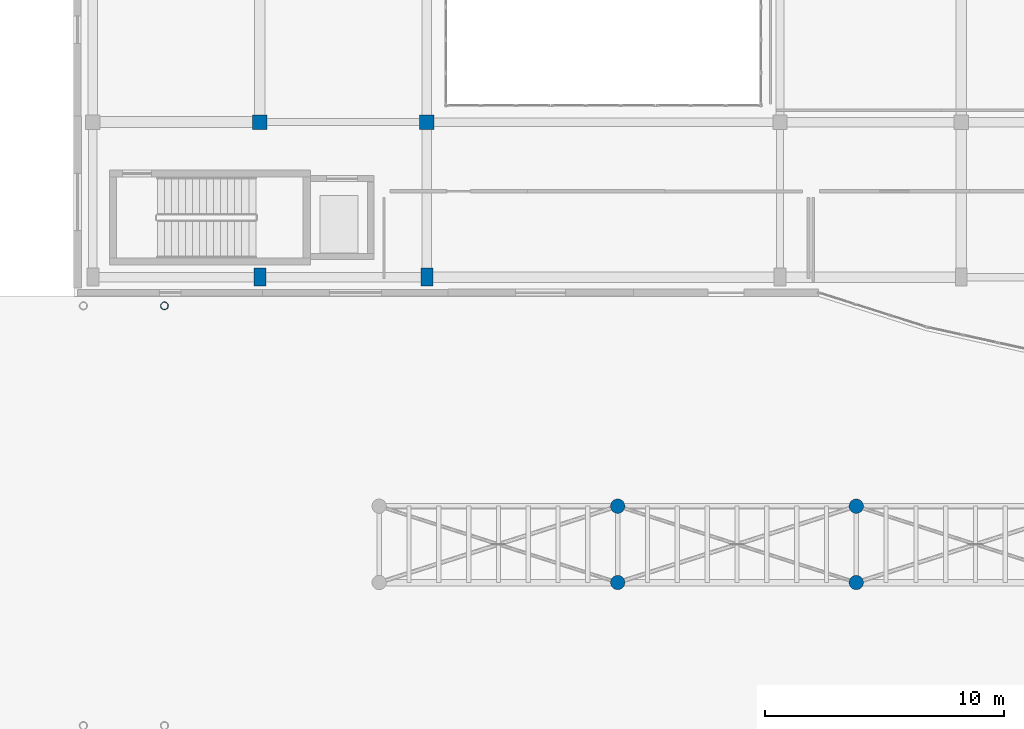
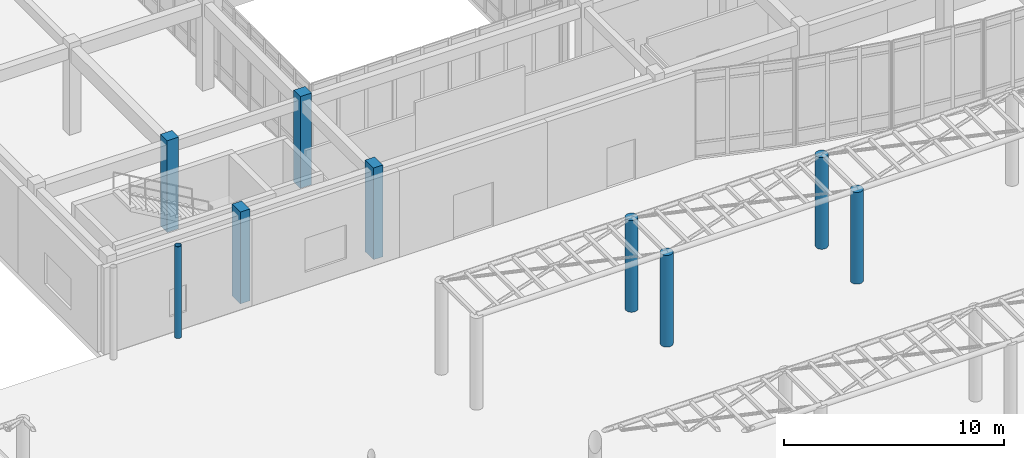
# One storey, part 13 of 121: 9 columns.
"""IFC4 building model written with IfcOpenShell, lengths in metres."""

from ifc_helpers import new_model, si_unit, direction, frame, origin, origin_2d, place, context, subcontext, project, spatial, rectangle, circle, hollow_circle, extrude, material, material_profile, profile_set, type_object, element, save


model = new_model("IFC4")

# Units and contexts
model_context = context("Model", 3, precision=1e-05, world=origin(), true_north=direction((0.0, 1.0)))
body_context = subcontext(model_context, "Body", "Model", "MODEL_VIEW")
ifc_project = project(units=[si_unit("LENGTHUNIT", "METRE"), si_unit("AREAUNIT", "SQUARE_METRE"), si_unit("VOLUMEUNIT", "CUBIC_METRE"), si_unit("PLANEANGLEUNIT", "RADIAN"), si_unit("MASSUNIT", "GRAM", prefix="KILO")], contexts=[model_context])

# Site, building, storey
site_placement = place(None, origin())
site = spatial("IfcSite", under=ifc_project, at=site_placement, CompositionType="ELEMENT")
building_placement = place(site_placement, origin())
building = spatial("IfcBuilding", under=site, at=building_placement, Name="Valcora Specialist Clinic", CompositionType="ELEMENT")
storey_placement = place(building_placement, origin())
storey = spatial("IfcBuildingStorey", under=building, at=storey_placement, Name="L00", CompositionType="ELEMENT", Elevation=0.0)

# Columns
ifc_material_1 = material(Name="Steel ASTM A500 Grade C", Category="steel")
ifc_material_profile_1 = material_profile(ifc_material_1, hollow_circle(Radius=0.162109375, WallThickness=0.011962890625, at=origin_2d()), Name="ST-CHS-324X12")
ifc_profile_set_1 = profile_set([ifc_material_profile_1], Name="Steel ASTM A500 Grade C")
column_type_1 = type_object("IfcColumnType", Name="TY-COL-CHS324", PredefinedType="COLUMN", material=ifc_profile_set_1)
column_placement = place(storey_placement, frame((65.0, 73.60009765625, 0.0), z_axis=(0.0, 0.0, 1.0), x_axis=(1.0, 0.0, 0.0)))
element("IfcColumn", 1, at=column_placement, inside=storey, type_object=column_type_1, Name="Column COL-L00-1002", PredefinedType="COLUMN", context=body_context, shape_type="SweptSolid", body=[
    extrude(hollow_circle(Radius=0.162109375, WallThickness=0.011962890625, at=origin_2d()), origin(), (0.0, 0.0, 1.0), 5.10009765625),
])
ifc_material_2 = material(Name="Concrete C40/50", Category="concrete")
ifc_material_profile_2 = material_profile(ifc_material_2, rectangle(XDim=0.5, YDim=0.75, at=origin_2d()), Name="RC-COL-500X750")
ifc_profile_set_2 = profile_set([ifc_material_profile_2], Name="Concrete C40/50")
column_type_2 = type_object("IfcColumnType", Name="TY-COL-RC500X750", PredefinedType="COLUMN", material=ifc_profile_set_2)
for number, where, z_axis, x_axis, name in (
    (2, (69.0, 74.800048828125, 0.0), (0.0, 0.0, 1.0), (1.0, 0.0, 0.0), "Column COL-L00-0327"),
    (3, (76.0, 74.800048828125, 0.0), (0.0, 0.0, 1.0), (1.0, 0.0, 0.0), "Column COL-L00-0352"),
):
    element("IfcColumn", number, at=place(storey_placement, frame(where, z_axis=z_axis, x_axis=x_axis)), inside=storey, type_object=column_type_2, Name=name, PredefinedType="COLUMN", context=body_context, shape_type="SweptSolid", body=[
        extrude(rectangle(XDim=0.5, YDim=0.75, at=origin_2d()), origin(), (0.0, 0.0, 1.0), 5.10009765625),
    ])
ifc_material_profile_3 = material_profile(ifc_material_2, rectangle(XDim=0.60009765625, YDim=0.60009765625, at=origin_2d()), Name="RC-COL-600X600")
ifc_profile_set_3 = profile_set([ifc_material_profile_3], Name="Concrete C40/50")
column_type_3 = type_object("IfcColumnType", Name="TY-COL-RC600", PredefinedType="COLUMN", material=ifc_profile_set_3)
for number, where, z_axis, x_axis, name in (
    (4, (69.0, 81.300048828125, 0.0), (0.0, 0.0, 1.0), (1.0, 0.0, 0.0), "Column COL-L00-0332"),
    (5, (76.0, 81.300048828125, 0.0), (0.0, 0.0, 1.0), (1.0, 0.0, 0.0), "Column COL-L00-0357"),
):
    element("IfcColumn", number, at=place(storey_placement, frame(where, z_axis=z_axis, x_axis=x_axis)), inside=storey, type_object=column_type_3, Name=name, PredefinedType="COLUMN", context=body_context, shape_type="SweptSolid", body=[
        extrude(rectangle(XDim=0.60009765625, YDim=0.60009765625, at=origin_2d()), origin(), (0.0, 0.0, 1.0), 5.10009765625),
    ])
ifc_material_profile_4 = material_profile(ifc_material_2, circle(Radius=0.300048828125, at=origin_2d()), Name="RC-COL-D600")
ifc_profile_set_4 = profile_set([ifc_material_profile_4], Name="Concrete C40/50")
column_type_4 = type_object("IfcColumnType", Name="TY-COL-RCD600", PredefinedType="COLUMN", material=ifc_profile_set_4)
for number, where, z_axis, x_axis, name in (
    (6, (84.0, 62.0, 0.0), (0.0, 0.0, 1.0), (1.0, 0.0, 0.0), "Column COL-L00-1135"),
    (7, (84.0, 65.199951171875, 0.0), (0.0, 0.0, 1.0), (1.0, 0.0, 0.0), "Column COL-L00-1137"),
    (8, (94.0, 62.0, 0.0), (0.0, 0.0, 1.0), (1.0, 0.0, 0.0), "Column COL-L00-1147"),
    (9, (94.0, 65.199951171875, 0.0), (0.0, 0.0, 1.0), (1.0, 0.0, 0.0), "Column COL-L00-1149"),
):
    element("IfcColumn", number, at=place(storey_placement, frame(where, z_axis=z_axis, x_axis=x_axis)), inside=storey, type_object=column_type_4, Name=name, PredefinedType="COLUMN", context=body_context, shape_type="SweptSolid", body=[
        extrude(circle(Radius=0.300048828125, at=origin_2d()), origin(), (0.0, 0.0, 1.0), 5.10009765625),
    ])

save(model, "model.ifc")
